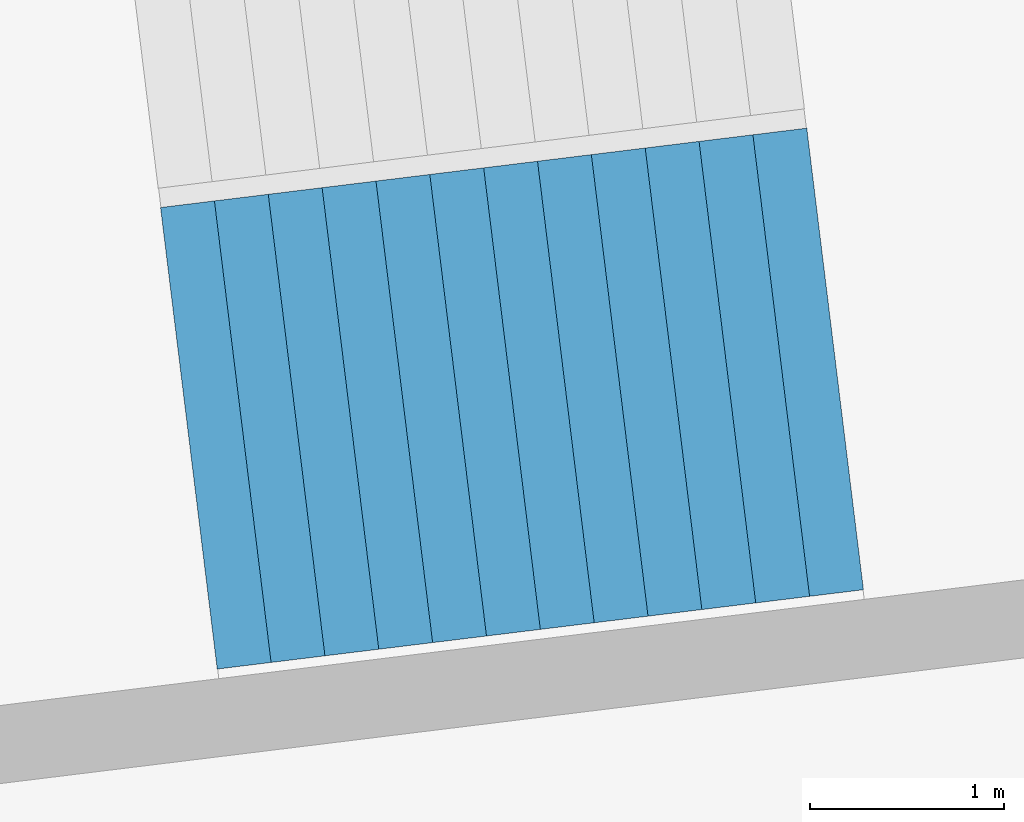
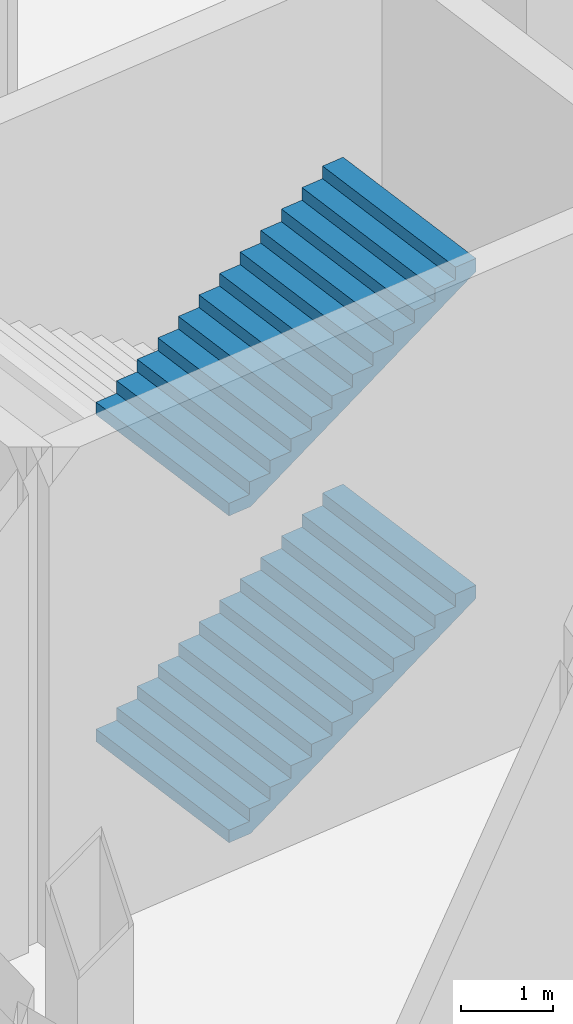
# One storey, part 23 of 47: 2 stair flights, 1 element without a shape of its own.
"""IFC4 building model written with IfcOpenShell, lengths in metres."""

from ifc_helpers import new_model, si_unit, direction, frame, origin, place, context, subcontext, project, spatial, triangles, material, type_object, element, aggregate, save


model = new_model("IFC4")

# Units and contexts
model_context = context("Model", 3, precision=1e-05, world=origin(), true_north=direction((0.0, 1.0)))
body_context = subcontext(model_context, "Body", "Model", "MODEL_VIEW")
ifc_project = project(units=[si_unit("LENGTHUNIT", "METRE"), si_unit("AREAUNIT", "SQUARE_METRE"), si_unit("VOLUMEUNIT", "CUBIC_METRE"), si_unit("PLANEANGLEUNIT", "RADIAN"), si_unit("MASSUNIT", "GRAM", prefix="KILO")], contexts=[model_context])

# Site, building, storey
site_placement = place(None, origin())
site = spatial("IfcSite", under=ifc_project, at=site_placement, CompositionType="ELEMENT")
building_placement = place(site_placement, origin())
building = spatial("IfcBuilding", under=site, at=building_placement, Name="Lantaw Convention Tower", CompositionType="ELEMENT")
storey_placement = place(building_placement, origin())
storey = spatial("IfcBuildingStorey", under=building, at=storey_placement, Name="L00", CompositionType="ELEMENT", Elevation=0.0)

# Stair, stair flights
ifc_material = material(Name="Concrete C35/45", Category="concrete")
stair_type = type_object("IfcStairType", Name="Exit stair 2400 riser 166.67 in 3 flights", PredefinedType="HALF_TURN_STAIR", material=ifc_material)
stair_placement = place(storey_placement, origin())
stair = element("IfcStair", 1, at=stair_placement, inside=storey, type_object=stair_type, Name="Podium exit stair P10 L00", PredefinedType="HALF_TURN_STAIR")
stair_flight_type = type_object("IfcStairFlightType", Name="Stair flight 2400 riser 166.67", PredefinedType="STRAIGHT", material=ifc_material)
stair_flight_1_placement = place(storey_placement, frame((-38.1923828125, -5.94873046875, 0.0), z_axis=(0.0, 0.0, 1.0), x_axis=(0.992546151641, 0.121869343405, 0.0)))
stair_flight_1 = element("IfcStairFlight", 2, at=stair_flight_1_placement, type_object=stair_flight_type, Name="P10 flight 1", NumberOfRisers=13, NumberOfTreads=12, PredefinedType="STRAIGHT", RiserHeight=0.166666667, TreadLength=0.28, context=body_context, shape_type="Tessellation", body=[
    triangles([(0.0, 1.199951171875, 0.0), (0.0, 1.199951171875, 0.166666667), (0.28, 1.199951171875, 0.0), (0.28, 1.199951171875, 0.166666667), (0.28, 1.199951171875, 0.333333334), (0.29307345806906815, 1.199951171875, 0.0), (0.29307345806906815, 1.199951171875, 0.333333334), (0.56, 1.199951171875, 0.15888484670522912), (0.56, 1.199951171875, 0.333333334), (0.56, 1.199951171875, 0.500000001), (0.8400000000000001, 1.199951171875, 0.3255515137052291), (0.8400000000000001, 1.199951171875, 0.500000001), (0.8400000000000001, 1.199951171875, 0.666666668), (1.12, 1.199951171875, 0.49221818070522905), (1.12, 1.199951171875, 0.666666668), (1.12, 1.199951171875, 0.833333335), (1.4000000000000001, 1.199951171875, 0.658884847705229), (1.4000000000000001, 1.199951171875, 0.833333335), (1.4000000000000001, 1.199951171875, 1.000000002), (1.6800000000000002, 1.199951171875, 0.825551514705229), (1.6800000000000002, 1.199951171875, 1.000000002), (1.6800000000000002, 1.199951171875, 1.166666669), (1.9600000000000002, 1.199951171875, 0.992218181705229), (1.9600000000000002, 1.199951171875, 1.166666669), (1.9600000000000002, 1.199951171875, 1.333333336), (2.24, 1.199951171875, 1.158884848705229), (2.24, 1.199951171875, 1.333333336), (2.24, 1.199951171875, 1.5000000029999998), (2.5200000000000005, 1.199951171875, 1.325551515705229), (2.5200000000000005, 1.199951171875, 1.5000000029999998), (2.5200000000000005, 1.199951171875, 1.66666667), (2.8000000000000003, 1.199951171875, 1.492218182705229), (2.8000000000000003, 1.199951171875, 1.66666667), (2.8000000000000003, 1.199951171875, 1.833333337), (3.08, 1.199951171875, 1.6588848497052289), (3.08, 1.199951171875, 1.833333337), (3.08, 1.199951171875, 2.000000004), (3.3600000000000003, 1.199951171875, 1.825551516705229), (3.3600000000000003, 1.199951171875, 2.000000004), (0.0, -1.199951171875, 0.0), (0.0, -1.199951171875, 0.166666667), (0.28, -1.199951171875, 0.0), (0.28, -1.199951171875, 0.166666667), (0.28, -1.199951171875, 0.333333334), (0.29307345806906815, -1.199951171875, 0.0), (0.29307345806906815, -1.199951171875, 0.333333334), (0.56, -1.199951171875, 0.15888484670522912), (0.56, -1.199951171875, 0.333333334), (0.56, -1.199951171875, 0.500000001), (0.8400000000000001, -1.199951171875, 0.3255515137052291), (0.8400000000000001, -1.199951171875, 0.500000001), (0.8400000000000001, -1.199951171875, 0.666666668), (1.12, -1.199951171875, 0.49221818070522905), (1.12, -1.199951171875, 0.666666668), (1.12, -1.199951171875, 0.833333335), (1.4000000000000001, -1.199951171875, 0.658884847705229), (1.4000000000000001, -1.199951171875, 0.833333335), (1.4000000000000001, -1.199951171875, 1.000000002), (1.6800000000000002, -1.199951171875, 0.825551514705229), (1.6800000000000002, -1.199951171875, 1.000000002), (1.6800000000000002, -1.199951171875, 1.166666669), (1.9600000000000002, -1.199951171875, 0.992218181705229), (1.9600000000000002, -1.199951171875, 1.166666669), (1.9600000000000002, -1.199951171875, 1.333333336), (2.24, -1.199951171875, 1.158884848705229), (2.24, -1.199951171875, 1.333333336), (2.24, -1.199951171875, 1.5000000029999998), (2.5200000000000005, -1.199951171875, 1.325551515705229), (2.5200000000000005, -1.199951171875, 1.5000000029999998), (2.5200000000000005, -1.199951171875, 1.66666667), (2.8000000000000003, -1.199951171875, 1.492218182705229), (2.8000000000000003, -1.199951171875, 1.66666667), (2.8000000000000003, -1.199951171875, 1.833333337), (3.08, -1.199951171875, 1.6588848497052289), (3.08, -1.199951171875, 1.833333337), (3.08, -1.199951171875, 2.000000004), (3.3600000000000003, -1.199951171875, 1.825551516705229), (3.3600000000000003, -1.199951171875, 2.000000004), (0.0, 0.239990234375, 0.166666667), (0.0, 0.239990234375, 0.0), (0.0, 0.0, 0.166666667), (0.0, 0.0, 0.0), (0.0, -0.239990234375, 0.166666667), (0.0, -0.239990234375, 0.0), (0.28, 0.239990234375, 0.333333334), (0.28, 0.239990234375, 0.166666667), (0.28, 0.0, 0.333333334), (0.28, 0.0, 0.166666667), (0.28, -0.239990234375, 0.333333334), (0.28, -0.239990234375, 0.166666667), (0.56, 0.239990234375, 0.500000001), (0.56, 0.239990234375, 0.333333334), (0.56, 0.0, 0.500000001), (0.56, 0.0, 0.333333334), (0.56, -0.239990234375, 0.500000001), (0.56, -0.239990234375, 0.333333334), (0.8400000000000001, 0.239990234375, 0.666666668), (0.8400000000000001, 0.239990234375, 0.500000001), (0.8400000000000001, 0.0, 0.666666668), (0.8400000000000001, 0.0, 0.500000001), (0.8400000000000001, -0.239990234375, 0.666666668), (0.8400000000000001, -0.239990234375, 0.500000001), (1.12, 0.239990234375, 0.833333335), (1.12, 0.239990234375, 0.666666668), (1.12, 0.0, 0.833333335), (1.12, 0.0, 0.666666668), (1.12, -0.239990234375, 0.833333335), (1.12, -0.239990234375, 0.666666668), (1.4000000000000001, 0.239990234375, 1.000000002), (1.4000000000000001, 0.239990234375, 0.833333335), (1.4000000000000001, 0.0, 1.000000002), (1.4000000000000001, 0.0, 0.833333335), (1.4000000000000001, -0.239990234375, 1.000000002), (1.4000000000000001, -0.239990234375, 0.833333335), (1.6800000000000002, 0.239990234375, 1.166666669), (1.6800000000000002, 0.239990234375, 1.000000002), (1.6800000000000002, 0.0, 1.166666669), (1.6800000000000002, 0.0, 1.000000002), (1.6800000000000002, -0.239990234375, 1.166666669), (1.6800000000000002, -0.239990234375, 1.000000002), (1.9600000000000002, 0.239990234375, 1.333333336), (1.9600000000000002, 0.239990234375, 1.166666669), (1.9600000000000002, 0.0, 1.333333336), (1.9600000000000002, 0.0, 1.166666669), (1.9600000000000002, -0.239990234375, 1.333333336), (1.9600000000000002, -0.239990234375, 1.166666669), (2.24, 0.239990234375, 1.5000000029999998), (2.24, 0.239990234375, 1.333333336), (2.24, 0.0, 1.5000000029999998), (2.24, 0.0, 1.333333336), (2.24, -0.239990234375, 1.5000000029999998), (2.24, -0.239990234375, 1.333333336), (2.5200000000000005, 0.239990234375, 1.66666667), (2.5200000000000005, 0.239990234375, 1.5000000029999998), (2.5200000000000005, 0.0, 1.66666667), (2.5200000000000005, 0.0, 1.5000000029999998), (2.5200000000000005, -0.239990234375, 1.66666667), (2.5200000000000005, -0.239990234375, 1.5000000029999998), (2.8000000000000003, 0.239990234375, 1.833333337), (2.8000000000000003, 0.239990234375, 1.66666667), (2.8000000000000003, 0.0, 1.833333337), (2.8000000000000003, 0.0, 1.66666667), (2.8000000000000003, -0.239990234375, 1.833333337), (2.8000000000000003, -0.239990234375, 1.66666667), (3.08, 0.239990234375, 2.000000004), (3.08, 0.239990234375, 1.833333337), (3.08, 0.0, 2.000000004), (3.08, 0.0, 1.833333337), (3.08, -0.239990234375, 2.000000004), (3.08, -0.239990234375, 1.833333337), (0.29307345806906815, 0.239990234375, 0.333333334), (0.29307345806906815, 0.0, 0.333333334), (0.29307345806906815, -0.239990234375, 0.333333334), (3.3600000000000003, 0.239990234375, 2.000000004), (3.3600000000000003, 0.0, 2.000000004), (3.3600000000000003, -0.239990234375, 2.000000004), (3.3600000000000003, 0.239990234375, 1.8255515167052292), (3.3600000000000003, 0.0, 1.8255515167052292), (3.3600000000000003, -0.239990234375, 1.8255515167052292), (3.08, 0.239990234375, 1.6588848497052289), (3.08, 0.0, 1.6588848497052289), (3.08, -0.239990234375, 1.6588848497052289), (2.8000000000000003, 0.239990234375, 1.492218182705229), (2.8000000000000003, 0.0, 1.492218182705229), (2.8000000000000003, -0.239990234375, 1.492218182705229), (2.5200000000000005, 0.239990234375, 1.325551515705229), (2.5200000000000005, 0.0, 1.325551515705229), (2.5200000000000005, -0.239990234375, 1.325551515705229), (2.24, 0.239990234375, 1.158884848705229), (2.24, 0.0, 1.158884848705229), (2.24, -0.239990234375, 1.158884848705229), (1.9600000000000002, 0.239990234375, 0.992218181705229), (1.9600000000000002, 0.0, 0.992218181705229), (1.9600000000000002, -0.239990234375, 0.992218181705229), (1.6800000000000002, 0.239990234375, 0.825551514705229), (1.6800000000000002, 0.0, 0.825551514705229), (1.6800000000000002, -0.239990234375, 0.825551514705229), (1.4000000000000001, 0.239990234375, 0.658884847705229), (1.4000000000000001, 0.0, 0.658884847705229), (1.4000000000000001, -0.239990234375, 0.658884847705229), (1.12, 0.239990234375, 0.49221818070522905), (1.12, 0.0, 0.49221818070522905), (1.12, -0.239990234375, 0.49221818070522905), (0.8400000000000001, 0.239990234375, 0.3255515137052291), (0.8400000000000001, 0.0, 0.3255515137052291), (0.8400000000000001, -0.239990234375, 0.3255515137052291), (0.56, 0.239990234375, 0.15888484670522912), (0.56, 0.0, 0.15888484670522912), (0.56, -0.239990234375, 0.15888484670522912), (0.29307345806906815, 0.239990234375, 0.0), (0.29307345806906815, 0.0, 0.0), (0.29307345806906815, -0.239990234375, 0.0), (0.28, 0.239990234375, 0.0), (0.28, 0.0, 0.0), (0.28, -0.239990234375, 0.0)], [[1, 4, 3], [1, 2, 4], [3, 4, 6], [4, 7, 6], [4, 5, 7], [6, 9, 8], [6, 7, 9], [8, 9, 11], [9, 12, 11], [9, 10, 12], [11, 12, 14], [12, 15, 14], [12, 13, 15], [14, 15, 17], [15, 18, 17], [15, 16, 18], [17, 18, 20], [18, 21, 20], [18, 19, 21], [20, 21, 23], [21, 24, 23], [21, 22, 24], [23, 24, 26], [24, 27, 26], [24, 25, 27], [26, 27, 29], [27, 30, 29], [27, 28, 30], [29, 30, 32], [30, 33, 32], [30, 31, 33], [32, 33, 35], [33, 36, 35], [33, 34, 36], [35, 36, 38], [36, 39, 38], [36, 37, 39], [40, 42, 43], [40, 43, 41], [42, 45, 43], [43, 45, 46], [43, 46, 44], [45, 47, 48], [45, 48, 46], [47, 50, 48], [48, 50, 51], [48, 51, 49], [50, 53, 51], [51, 53, 54], [51, 54, 52], [53, 56, 54], [54, 56, 57], [54, 57, 55], [56, 59, 57], [57, 59, 60], [57, 60, 58], [59, 62, 60], [60, 62, 63], [60, 63, 61], [62, 65, 63], [63, 65, 66], [63, 66, 64], [65, 68, 66], [66, 68, 69], [66, 69, 67], [68, 71, 69], [69, 71, 72], [69, 72, 70], [71, 74, 72], [72, 74, 75], [72, 75, 73], [74, 77, 75], [75, 77, 78], [75, 78, 76], [1, 79, 2], [1, 80, 79], [80, 81, 79], [80, 82, 81], [82, 83, 81], [82, 84, 83], [84, 41, 83], [84, 40, 41], [4, 85, 5], [4, 86, 85], [86, 87, 85], [86, 88, 87], [88, 89, 87], [88, 90, 89], [90, 44, 89], [90, 43, 44], [9, 91, 10], [9, 92, 91], [92, 93, 91], [92, 94, 93], [94, 95, 93], [94, 96, 95], [96, 49, 95], [96, 48, 49], [12, 97, 13], [12, 98, 97], [98, 99, 97], [98, 100, 99], [100, 101, 99], [100, 102, 101], [102, 52, 101], [102, 51, 52], [15, 103, 16], [15, 104, 103], [104, 105, 103], [104, 106, 105], [106, 107, 105], [106, 108, 107], [108, 55, 107], [108, 54, 55], [18, 109, 19], [18, 110, 109], [110, 111, 109], [110, 112, 111], [112, 113, 111], [112, 114, 113], [114, 58, 113], [114, 57, 58], [21, 115, 22], [21, 116, 115], [116, 117, 115], [116, 118, 117], [118, 119, 117], [118, 120, 119], [120, 61, 119], [120, 60, 61], [24, 121, 25], [24, 122, 121], [122, 123, 121], [122, 124, 123], [124, 125, 123], [124, 126, 125], [126, 64, 125], [126, 63, 64], [27, 127, 28], [27, 128, 127], [128, 129, 127], [128, 130, 129], [130, 131, 129], [130, 132, 131], [132, 67, 131], [132, 66, 67], [30, 133, 31], [30, 134, 133], [134, 135, 133], [134, 136, 135], [136, 137, 135], [136, 138, 137], [138, 70, 137], [138, 69, 70], [33, 139, 34], [33, 140, 139], [140, 141, 139], [140, 142, 141], [142, 143, 141], [142, 144, 143], [144, 73, 143], [144, 72, 73], [36, 145, 37], [36, 146, 145], [146, 147, 145], [146, 148, 147], [148, 149, 147], [148, 150, 149], [150, 76, 149], [150, 75, 76], [2, 86, 4], [2, 79, 86], [79, 88, 86], [79, 81, 88], [81, 90, 88], [81, 83, 90], [83, 43, 90], [83, 41, 43], [5, 151, 7], [5, 85, 151], [85, 152, 151], [85, 87, 152], [87, 153, 152], [87, 89, 153], [89, 46, 153], [89, 44, 46], [7, 92, 9], [7, 151, 92], [151, 94, 92], [151, 152, 94], [152, 96, 94], [152, 153, 96], [153, 48, 96], [153, 46, 48], [10, 98, 12], [10, 91, 98], [91, 100, 98], [91, 93, 100], [93, 102, 100], [93, 95, 102], [95, 51, 102], [95, 49, 51], [13, 104, 15], [13, 97, 104], [97, 106, 104], [97, 99, 106], [99, 108, 106], [99, 101, 108], [101, 54, 108], [101, 52, 54], [16, 110, 18], [16, 103, 110], [103, 112, 110], [103, 105, 112], [105, 114, 112], [105, 107, 114], [107, 57, 114], [107, 55, 57], [19, 116, 21], [19, 109, 116], [109, 118, 116], [109, 111, 118], [111, 120, 118], [111, 113, 120], [113, 60, 120], [113, 58, 60], [22, 122, 24], [22, 115, 122], [115, 124, 122], [115, 117, 124], [117, 126, 124], [117, 119, 126], [119, 63, 126], [119, 61, 63], [25, 128, 27], [25, 121, 128], [121, 130, 128], [121, 123, 130], [123, 132, 130], [123, 125, 132], [125, 66, 132], [125, 64, 66], [28, 134, 30], [28, 127, 134], [127, 136, 134], [127, 129, 136], [129, 138, 136], [129, 131, 138], [131, 69, 138], [131, 67, 69], [31, 140, 33], [31, 133, 140], [133, 142, 140], [133, 135, 142], [135, 144, 142], [135, 137, 144], [137, 72, 144], [137, 70, 72], [34, 146, 36], [34, 139, 146], [139, 148, 146], [139, 141, 148], [141, 150, 148], [141, 143, 150], [143, 75, 150], [143, 73, 75], [37, 154, 39], [37, 145, 154], [145, 155, 154], [145, 147, 155], [147, 156, 155], [147, 149, 156], [149, 78, 156], [149, 76, 78], [39, 157, 38], [39, 154, 157], [154, 158, 157], [154, 155, 158], [155, 159, 158], [155, 156, 159], [156, 77, 159], [156, 78, 77], [38, 160, 35], [38, 157, 160], [157, 161, 160], [157, 158, 161], [158, 162, 161], [158, 159, 162], [159, 74, 162], [159, 77, 74], [35, 163, 32], [35, 160, 163], [160, 164, 163], [160, 161, 164], [161, 165, 164], [161, 162, 165], [162, 71, 165], [162, 74, 71], [32, 166, 29], [32, 163, 166], [163, 167, 166], [163, 164, 167], [164, 168, 167], [164, 165, 168], [165, 68, 168], [165, 71, 68], [29, 169, 26], [29, 166, 169], [166, 170, 169], [166, 167, 170], [167, 171, 170], [167, 168, 171], [168, 65, 171], [168, 68, 65], [26, 172, 23], [26, 169, 172], [169, 173, 172], [169, 170, 173], [170, 174, 173], [170, 171, 174], [171, 62, 174], [171, 65, 62], [23, 175, 20], [23, 172, 175], [172, 176, 175], [172, 173, 176], [173, 177, 176], [173, 174, 177], [174, 59, 177], [174, 62, 59], [20, 178, 17], [20, 175, 178], [175, 179, 178], [175, 176, 179], [176, 180, 179], [176, 177, 180], [177, 56, 180], [177, 59, 56], [17, 181, 14], [17, 178, 181], [178, 182, 181], [178, 179, 182], [179, 183, 182], [179, 180, 183], [180, 53, 183], [180, 56, 53], [14, 184, 11], [14, 181, 184], [181, 185, 184], [181, 182, 185], [182, 186, 185], [182, 183, 186], [183, 50, 186], [183, 53, 50], [11, 187, 8], [11, 184, 187], [184, 188, 187], [184, 185, 188], [185, 189, 188], [185, 186, 189], [186, 47, 189], [186, 50, 47], [8, 190, 6], [8, 187, 190], [187, 191, 190], [187, 188, 191], [188, 192, 191], [188, 189, 192], [189, 45, 192], [189, 47, 45], [6, 193, 3], [6, 190, 193], [190, 194, 193], [190, 191, 194], [191, 195, 194], [191, 192, 195], [192, 42, 195], [192, 45, 42], [3, 80, 1], [3, 193, 80], [193, 82, 80], [193, 194, 82], [194, 84, 82], [194, 195, 84], [195, 40, 84], [195, 42, 40]], closed=True),
])
stair_flight_2_placement = place(storey_placement, frame((-38.1923828125, -5.94873046875, 4.333251953125), z_axis=(0.0, 0.0, 1.0), x_axis=(0.992546151641, 0.121869343405, 0.0)))
stair_flight_2 = element("IfcStairFlight", 3, at=stair_flight_2_placement, type_object=stair_flight_type, Name="P10 flight 3", NumberOfRisers=13, NumberOfTreads=12, PredefinedType="STRAIGHT", RiserHeight=0.166666667, TreadLength=0.28, context=body_context, shape_type="Tessellation", body=[
    triangles([(0.0, 1.199951171875, 0.0), (0.0, 1.199951171875, 0.166666667), (0.28, 1.199951171875, 0.0), (0.28, 1.199951171875, 0.166666667), (0.28, 1.199951171875, 0.333333334), (0.29307345806906815, 1.199951171875, 0.0), (0.29307345806906815, 1.199951171875, 0.333333334), (0.56, 1.199951171875, 0.15888484670522912), (0.56, 1.199951171875, 0.333333334), (0.56, 1.199951171875, 0.500000001), (0.8400000000000001, 1.199951171875, 0.3255515137052291), (0.8400000000000001, 1.199951171875, 0.500000001), (0.8400000000000001, 1.199951171875, 0.666666668), (1.12, 1.199951171875, 0.49221818070522905), (1.12, 1.199951171875, 0.666666668), (1.12, 1.199951171875, 0.833333335), (1.4000000000000001, 1.199951171875, 0.658884847705229), (1.4000000000000001, 1.199951171875, 0.833333335), (1.4000000000000001, 1.199951171875, 1.000000002), (1.6800000000000002, 1.199951171875, 0.825551514705229), (1.6800000000000002, 1.199951171875, 1.000000002), (1.6800000000000002, 1.199951171875, 1.166666669), (1.9600000000000002, 1.199951171875, 0.992218181705229), (1.9600000000000002, 1.199951171875, 1.166666669), (1.9600000000000002, 1.199951171875, 1.333333336), (2.24, 1.199951171875, 1.158884848705229), (2.24, 1.199951171875, 1.333333336), (2.24, 1.199951171875, 1.5000000029999998), (2.5200000000000005, 1.199951171875, 1.325551515705229), (2.5200000000000005, 1.199951171875, 1.5000000029999998), (2.5200000000000005, 1.199951171875, 1.66666667), (2.8000000000000003, 1.199951171875, 1.492218182705229), (2.8000000000000003, 1.199951171875, 1.66666667), (2.8000000000000003, 1.199951171875, 1.833333337), (3.08, 1.199951171875, 1.6588848497052289), (3.08, 1.199951171875, 1.833333337), (3.08, 1.199951171875, 2.000000004), (3.3600000000000003, 1.199951171875, 1.825551516705229), (3.3600000000000003, 1.199951171875, 2.000000004), (0.0, -1.199951171875, 0.0), (0.0, -1.199951171875, 0.166666667), (0.28, -1.199951171875, 0.0), (0.28, -1.199951171875, 0.166666667), (0.28, -1.199951171875, 0.333333334), (0.29307345806906815, -1.199951171875, 0.0), (0.29307345806906815, -1.199951171875, 0.333333334), (0.56, -1.199951171875, 0.15888484670522912), (0.56, -1.199951171875, 0.333333334), (0.56, -1.199951171875, 0.500000001), (0.8400000000000001, -1.199951171875, 0.3255515137052291), (0.8400000000000001, -1.199951171875, 0.500000001), (0.8400000000000001, -1.199951171875, 0.666666668), (1.12, -1.199951171875, 0.49221818070522905), (1.12, -1.199951171875, 0.666666668), (1.12, -1.199951171875, 0.833333335), (1.4000000000000001, -1.199951171875, 0.658884847705229), (1.4000000000000001, -1.199951171875, 0.833333335), (1.4000000000000001, -1.199951171875, 1.000000002), (1.6800000000000002, -1.199951171875, 0.825551514705229), (1.6800000000000002, -1.199951171875, 1.000000002), (1.6800000000000002, -1.199951171875, 1.166666669), (1.9600000000000002, -1.199951171875, 0.992218181705229), (1.9600000000000002, -1.199951171875, 1.166666669), (1.9600000000000002, -1.199951171875, 1.333333336), (2.24, -1.199951171875, 1.158884848705229), (2.24, -1.199951171875, 1.333333336), (2.24, -1.199951171875, 1.5000000029999998), (2.5200000000000005, -1.199951171875, 1.325551515705229), (2.5200000000000005, -1.199951171875, 1.5000000029999998), (2.5200000000000005, -1.199951171875, 1.66666667), (2.8000000000000003, -1.199951171875, 1.492218182705229), (2.8000000000000003, -1.199951171875, 1.66666667), (2.8000000000000003, -1.199951171875, 1.833333337), (3.08, -1.199951171875, 1.6588848497052289), (3.08, -1.199951171875, 1.833333337), (3.08, -1.199951171875, 2.000000004), (3.3600000000000003, -1.199951171875, 1.825551516705229), (3.3600000000000003, -1.199951171875, 2.000000004), (0.0, 0.239990234375, 0.166666667), (0.0, 0.239990234375, 0.0), (0.0, 0.0, 0.166666667), (0.0, 0.0, 0.0), (0.0, -0.239990234375, 0.166666667), (0.0, -0.239990234375, 0.0), (0.28, 0.239990234375, 0.333333334), (0.28, 0.239990234375, 0.166666667), (0.28, 0.0, 0.333333334), (0.28, 0.0, 0.166666667), (0.28, -0.239990234375, 0.333333334), (0.28, -0.239990234375, 0.166666667), (0.56, 0.239990234375, 0.500000001), (0.56, 0.239990234375, 0.333333334), (0.56, 0.0, 0.500000001), (0.56, 0.0, 0.333333334), (0.56, -0.239990234375, 0.500000001), (0.56, -0.239990234375, 0.333333334), (0.8400000000000001, 0.239990234375, 0.666666668), (0.8400000000000001, 0.239990234375, 0.500000001), (0.8400000000000001, 0.0, 0.666666668), (0.8400000000000001, 0.0, 0.500000001), (0.8400000000000001, -0.239990234375, 0.666666668), (0.8400000000000001, -0.239990234375, 0.500000001), (1.12, 0.239990234375, 0.833333335), (1.12, 0.239990234375, 0.666666668), (1.12, 0.0, 0.833333335), (1.12, 0.0, 0.666666668), (1.12, -0.239990234375, 0.833333335), (1.12, -0.239990234375, 0.666666668), (1.4000000000000001, 0.239990234375, 1.000000002), (1.4000000000000001, 0.239990234375, 0.833333335), (1.4000000000000001, 0.0, 1.000000002), (1.4000000000000001, 0.0, 0.833333335), (1.4000000000000001, -0.239990234375, 1.000000002), (1.4000000000000001, -0.239990234375, 0.833333335), (1.6800000000000002, 0.239990234375, 1.166666669), (1.6800000000000002, 0.239990234375, 1.000000002), (1.6800000000000002, 0.0, 1.166666669), (1.6800000000000002, 0.0, 1.000000002), (1.6800000000000002, -0.239990234375, 1.166666669), (1.6800000000000002, -0.239990234375, 1.000000002), (1.9600000000000002, 0.239990234375, 1.333333336), (1.9600000000000002, 0.239990234375, 1.166666669), (1.9600000000000002, 0.0, 1.333333336), (1.9600000000000002, 0.0, 1.166666669), (1.9600000000000002, -0.239990234375, 1.333333336), (1.9600000000000002, -0.239990234375, 1.166666669), (2.24, 0.239990234375, 1.5000000029999998), (2.24, 0.239990234375, 1.333333336), (2.24, 0.0, 1.5000000029999998), (2.24, 0.0, 1.333333336), (2.24, -0.239990234375, 1.5000000029999998), (2.24, -0.239990234375, 1.333333336), (2.5200000000000005, 0.239990234375, 1.66666667), (2.5200000000000005, 0.239990234375, 1.5000000029999998), (2.5200000000000005, 0.0, 1.66666667), (2.5200000000000005, 0.0, 1.5000000029999998), (2.5200000000000005, -0.239990234375, 1.66666667), (2.5200000000000005, -0.239990234375, 1.5000000029999998), (2.8000000000000003, 0.239990234375, 1.833333337), (2.8000000000000003, 0.239990234375, 1.66666667), (2.8000000000000003, 0.0, 1.833333337), (2.8000000000000003, 0.0, 1.66666667), (2.8000000000000003, -0.239990234375, 1.833333337), (2.8000000000000003, -0.239990234375, 1.66666667), (3.08, 0.239990234375, 2.000000004), (3.08, 0.239990234375, 1.833333337), (3.08, 0.0, 2.000000004), (3.08, 0.0, 1.833333337), (3.08, -0.239990234375, 2.000000004), (3.08, -0.239990234375, 1.833333337), (0.29307345806906815, 0.239990234375, 0.333333334), (0.29307345806906815, 0.0, 0.333333334), (0.29307345806906815, -0.239990234375, 0.333333334), (3.3600000000000003, 0.239990234375, 2.000000004), (3.3600000000000003, 0.0, 2.000000004), (3.3600000000000003, -0.239990234375, 2.000000004), (3.3600000000000003, 0.239990234375, 1.8255515167052292), (3.3600000000000003, 0.0, 1.8255515167052292), (3.3600000000000003, -0.239990234375, 1.8255515167052292), (3.08, 0.239990234375, 1.6588848497052289), (3.08, 0.0, 1.6588848497052289), (3.08, -0.239990234375, 1.6588848497052289), (2.8000000000000003, 0.239990234375, 1.492218182705229), (2.8000000000000003, 0.0, 1.492218182705229), (2.8000000000000003, -0.239990234375, 1.492218182705229), (2.5200000000000005, 0.239990234375, 1.325551515705229), (2.5200000000000005, 0.0, 1.325551515705229), (2.5200000000000005, -0.239990234375, 1.325551515705229), (2.24, 0.239990234375, 1.158884848705229), (2.24, 0.0, 1.158884848705229), (2.24, -0.239990234375, 1.158884848705229), (1.9600000000000002, 0.239990234375, 0.992218181705229), (1.9600000000000002, 0.0, 0.992218181705229), (1.9600000000000002, -0.239990234375, 0.992218181705229), (1.6800000000000002, 0.239990234375, 0.825551514705229), (1.6800000000000002, 0.0, 0.825551514705229), (1.6800000000000002, -0.239990234375, 0.825551514705229), (1.4000000000000001, 0.239990234375, 0.658884847705229), (1.4000000000000001, 0.0, 0.658884847705229), (1.4000000000000001, -0.239990234375, 0.658884847705229), (1.12, 0.239990234375, 0.49221818070522905), (1.12, 0.0, 0.49221818070522905), (1.12, -0.239990234375, 0.49221818070522905), (0.8400000000000001, 0.239990234375, 0.3255515137052291), (0.8400000000000001, 0.0, 0.3255515137052291), (0.8400000000000001, -0.239990234375, 0.3255515137052291), (0.56, 0.239990234375, 0.15888484670522912), (0.56, 0.0, 0.15888484670522912), (0.56, -0.239990234375, 0.15888484670522912), (0.29307345806906815, 0.239990234375, 0.0), (0.29307345806906815, 0.0, 0.0), (0.29307345806906815, -0.239990234375, 0.0), (0.28, 0.239990234375, 0.0), (0.28, 0.0, 0.0), (0.28, -0.239990234375, 0.0)], [[1, 4, 3], [1, 2, 4], [3, 4, 6], [4, 7, 6], [4, 5, 7], [6, 9, 8], [6, 7, 9], [8, 9, 11], [9, 12, 11], [9, 10, 12], [11, 12, 14], [12, 15, 14], [12, 13, 15], [14, 15, 17], [15, 18, 17], [15, 16, 18], [17, 18, 20], [18, 21, 20], [18, 19, 21], [20, 21, 23], [21, 24, 23], [21, 22, 24], [23, 24, 26], [24, 27, 26], [24, 25, 27], [26, 27, 29], [27, 30, 29], [27, 28, 30], [29, 30, 32], [30, 33, 32], [30, 31, 33], [32, 33, 35], [33, 36, 35], [33, 34, 36], [35, 36, 38], [36, 39, 38], [36, 37, 39], [40, 42, 43], [40, 43, 41], [42, 45, 43], [43, 45, 46], [43, 46, 44], [45, 47, 48], [45, 48, 46], [47, 50, 48], [48, 50, 51], [48, 51, 49], [50, 53, 51], [51, 53, 54], [51, 54, 52], [53, 56, 54], [54, 56, 57], [54, 57, 55], [56, 59, 57], [57, 59, 60], [57, 60, 58], [59, 62, 60], [60, 62, 63], [60, 63, 61], [62, 65, 63], [63, 65, 66], [63, 66, 64], [65, 68, 66], [66, 68, 69], [66, 69, 67], [68, 71, 69], [69, 71, 72], [69, 72, 70], [71, 74, 72], [72, 74, 75], [72, 75, 73], [74, 77, 75], [75, 77, 78], [75, 78, 76], [1, 79, 2], [1, 80, 79], [80, 81, 79], [80, 82, 81], [82, 83, 81], [82, 84, 83], [84, 41, 83], [84, 40, 41], [4, 85, 5], [4, 86, 85], [86, 87, 85], [86, 88, 87], [88, 89, 87], [88, 90, 89], [90, 44, 89], [90, 43, 44], [9, 91, 10], [9, 92, 91], [92, 93, 91], [92, 94, 93], [94, 95, 93], [94, 96, 95], [96, 49, 95], [96, 48, 49], [12, 97, 13], [12, 98, 97], [98, 99, 97], [98, 100, 99], [100, 101, 99], [100, 102, 101], [102, 52, 101], [102, 51, 52], [15, 103, 16], [15, 104, 103], [104, 105, 103], [104, 106, 105], [106, 107, 105], [106, 108, 107], [108, 55, 107], [108, 54, 55], [18, 109, 19], [18, 110, 109], [110, 111, 109], [110, 112, 111], [112, 113, 111], [112, 114, 113], [114, 58, 113], [114, 57, 58], [21, 115, 22], [21, 116, 115], [116, 117, 115], [116, 118, 117], [118, 119, 117], [118, 120, 119], [120, 61, 119], [120, 60, 61], [24, 121, 25], [24, 122, 121], [122, 123, 121], [122, 124, 123], [124, 125, 123], [124, 126, 125], [126, 64, 125], [126, 63, 64], [27, 127, 28], [27, 128, 127], [128, 129, 127], [128, 130, 129], [130, 131, 129], [130, 132, 131], [132, 67, 131], [132, 66, 67], [30, 133, 31], [30, 134, 133], [134, 135, 133], [134, 136, 135], [136, 137, 135], [136, 138, 137], [138, 70, 137], [138, 69, 70], [33, 139, 34], [33, 140, 139], [140, 141, 139], [140, 142, 141], [142, 143, 141], [142, 144, 143], [144, 73, 143], [144, 72, 73], [36, 145, 37], [36, 146, 145], [146, 147, 145], [146, 148, 147], [148, 149, 147], [148, 150, 149], [150, 76, 149], [150, 75, 76], [2, 86, 4], [2, 79, 86], [79, 88, 86], [79, 81, 88], [81, 90, 88], [81, 83, 90], [83, 43, 90], [83, 41, 43], [5, 151, 7], [5, 85, 151], [85, 152, 151], [85, 87, 152], [87, 153, 152], [87, 89, 153], [89, 46, 153], [89, 44, 46], [7, 92, 9], [7, 151, 92], [151, 94, 92], [151, 152, 94], [152, 96, 94], [152, 153, 96], [153, 48, 96], [153, 46, 48], [10, 98, 12], [10, 91, 98], [91, 100, 98], [91, 93, 100], [93, 102, 100], [93, 95, 102], [95, 51, 102], [95, 49, 51], [13, 104, 15], [13, 97, 104], [97, 106, 104], [97, 99, 106], [99, 108, 106], [99, 101, 108], [101, 54, 108], [101, 52, 54], [16, 110, 18], [16, 103, 110], [103, 112, 110], [103, 105, 112], [105, 114, 112], [105, 107, 114], [107, 57, 114], [107, 55, 57], [19, 116, 21], [19, 109, 116], [109, 118, 116], [109, 111, 118], [111, 120, 118], [111, 113, 120], [113, 60, 120], [113, 58, 60], [22, 122, 24], [22, 115, 122], [115, 124, 122], [115, 117, 124], [117, 126, 124], [117, 119, 126], [119, 63, 126], [119, 61, 63], [25, 128, 27], [25, 121, 128], [121, 130, 128], [121, 123, 130], [123, 132, 130], [123, 125, 132], [125, 66, 132], [125, 64, 66], [28, 134, 30], [28, 127, 134], [127, 136, 134], [127, 129, 136], [129, 138, 136], [129, 131, 138], [131, 69, 138], [131, 67, 69], [31, 140, 33], [31, 133, 140], [133, 142, 140], [133, 135, 142], [135, 144, 142], [135, 137, 144], [137, 72, 144], [137, 70, 72], [34, 146, 36], [34, 139, 146], [139, 148, 146], [139, 141, 148], [141, 150, 148], [141, 143, 150], [143, 75, 150], [143, 73, 75], [37, 154, 39], [37, 145, 154], [145, 155, 154], [145, 147, 155], [147, 156, 155], [147, 149, 156], [149, 78, 156], [149, 76, 78], [39, 157, 38], [39, 154, 157], [154, 158, 157], [154, 155, 158], [155, 159, 158], [155, 156, 159], [156, 77, 159], [156, 78, 77], [38, 160, 35], [38, 157, 160], [157, 161, 160], [157, 158, 161], [158, 162, 161], [158, 159, 162], [159, 74, 162], [159, 77, 74], [35, 163, 32], [35, 160, 163], [160, 164, 163], [160, 161, 164], [161, 165, 164], [161, 162, 165], [162, 71, 165], [162, 74, 71], [32, 166, 29], [32, 163, 166], [163, 167, 166], [163, 164, 167], [164, 168, 167], [164, 165, 168], [165, 68, 168], [165, 71, 68], [29, 169, 26], [29, 166, 169], [166, 170, 169], [166, 167, 170], [167, 171, 170], [167, 168, 171], [168, 65, 171], [168, 68, 65], [26, 172, 23], [26, 169, 172], [169, 173, 172], [169, 170, 173], [170, 174, 173], [170, 171, 174], [171, 62, 174], [171, 65, 62], [23, 175, 20], [23, 172, 175], [172, 176, 175], [172, 173, 176], [173, 177, 176], [173, 174, 177], [174, 59, 177], [174, 62, 59], [20, 178, 17], [20, 175, 178], [175, 179, 178], [175, 176, 179], [176, 180, 179], [176, 177, 180], [177, 56, 180], [177, 59, 56], [17, 181, 14], [17, 178, 181], [178, 182, 181], [178, 179, 182], [179, 183, 182], [179, 180, 183], [180, 53, 183], [180, 56, 53], [14, 184, 11], [14, 181, 184], [181, 185, 184], [181, 182, 185], [182, 186, 185], [182, 183, 186], [183, 50, 186], [183, 53, 50], [11, 187, 8], [11, 184, 187], [184, 188, 187], [184, 185, 188], [185, 189, 188], [185, 186, 189], [186, 47, 189], [186, 50, 47], [8, 190, 6], [8, 187, 190], [187, 191, 190], [187, 188, 191], [188, 192, 191], [188, 189, 192], [189, 45, 192], [189, 47, 45], [6, 193, 3], [6, 190, 193], [190, 194, 193], [190, 191, 194], [191, 195, 194], [191, 192, 195], [192, 42, 195], [192, 45, 42], [3, 80, 1], [3, 193, 80], [193, 82, 80], [193, 194, 82], [194, 84, 82], [194, 195, 84], [195, 40, 84], [195, 42, 40]], closed=True),
])
aggregate(stair, [stair_flight_1, stair_flight_2])

save(model, "model.ifc")
